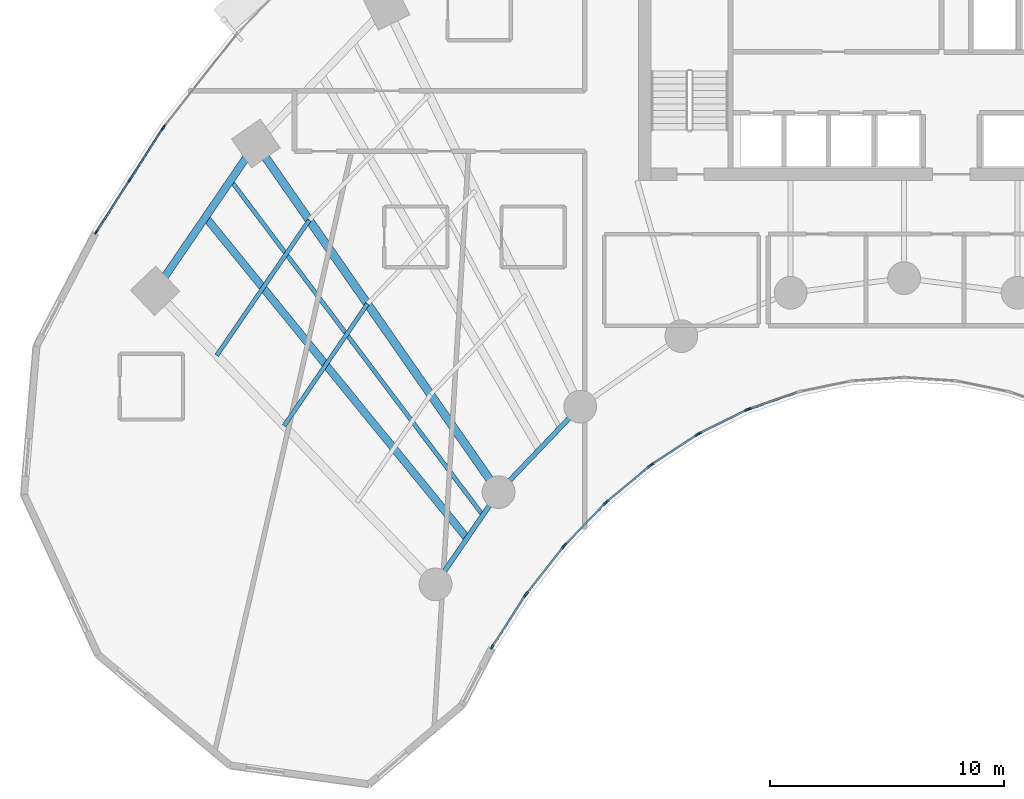
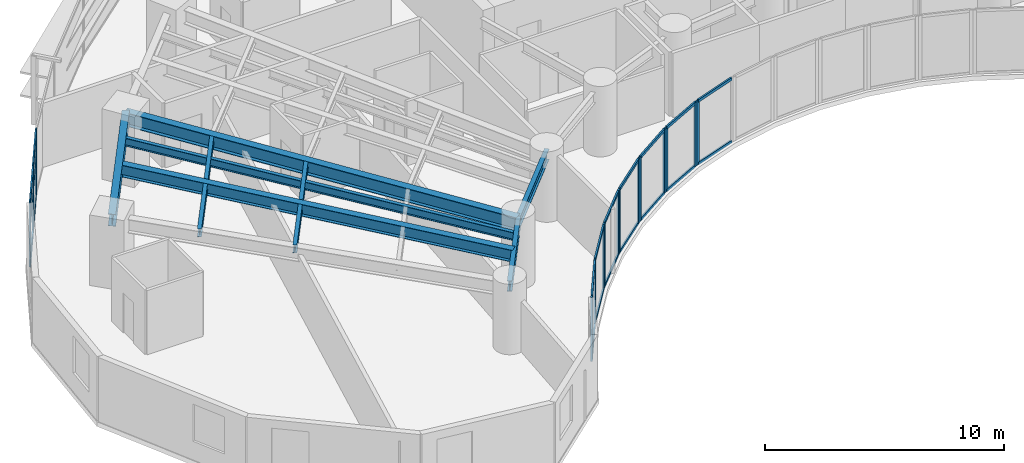
# One storey, part 2 of 17: 37 members, 8 beams, 9 elements without a shape of their own.
"""IFC4 building model written with IfcOpenShell, lengths in metres."""

from ifc_helpers import new_model, si_unit, direction, frame, origin, origin_2d, place, context, subcontext, project, spatial, rectangle, i_section, extrude, source, transform, mapped, material, layer, layer_set, material_profile, profile_set, type_object, type_shapes, element, aggregate, save


model = new_model("IFC4")

# Units and contexts
model_context = context("Model", 3, precision=1e-05, world=origin(), true_north=direction((0.0, 1.0)))
body_context = subcontext(model_context, "Body", "Model", "MODEL_VIEW")
ifc_project = project(units=[si_unit("LENGTHUNIT", "METRE"), si_unit("AREAUNIT", "SQUARE_METRE"), si_unit("VOLUMEUNIT", "CUBIC_METRE"), si_unit("PLANEANGLEUNIT", "RADIAN"), si_unit("MASSUNIT", "GRAM", prefix="KILO")], contexts=[model_context])

# Site, building, storey
site_placement = place(None, origin())
site = spatial("IfcSite", under=ifc_project, at=site_placement, CompositionType="ELEMENT")
building_placement = place(site_placement, origin())
building = spatial("IfcBuilding", under=site, at=building_placement, Name="Breltana Convention Tower", CompositionType="ELEMENT")
storey_placement = place(building_placement, frame((0.0, 0.0, 82.199951171875)))
storey = spatial("IfcBuildingStorey", under=building, at=storey_placement, Name="L19", CompositionType="ELEMENT", Elevation=82.199951171875)

# Beams
ifc_material_1 = material(Name="Steel ASTM A992 Grade 50", Category="steel")
ifc_material_profile_1 = material_profile(ifc_material_1, i_section(OverallWidth=0.323974609375, OverallDepth=0.611083984375, WebThickness=0.0126953125, FlangeThickness=0.01904296875, at=origin_2d()), Name="W24X104")
ifc_profile_set_1 = profile_set([ifc_material_profile_1], Name="Steel ASTM A992 Grade 50")
beam_type_1 = type_object("IfcBeamType", Name="BM-SP-W24X104", PredefinedType="SPANDREL", material=ifc_profile_set_1)
shared_shape_1 = source(origin(), body_context, "Body", "SweptSolid", [
    extrude(i_section(OverallWidth=0.323974609375, OverallDepth=0.611083984375, WebThickness=0.0126953125, FlangeThickness=0.01904296875, at=origin_2d()), origin(), (0.0, 0.0, 1.0), 7.625),
])
type_shapes(beam_type_1, [shared_shape_1])
beam_1_placement = place(storey_placement, frame((16.0068359375, 55.494384765625, 2.974609375), z_axis=(0.564452031902, 0.825465870694, 0.0), x_axis=(-0.825465870694, 0.564452031902, 0.0)))
element("IfcBeam", 1, at=beam_1_placement, inside=storey, type_object=beam_type_1, Name="L19 Outer Spandrel Beam 01", PredefinedType="SPANDREL", context=body_context, shape_type="MappedRepresentation", body=[
    mapped(shared_shape_1, transform((0.0, 0.0, 0.0), scale=1.0)),
])
ifc_material_profile_2 = material_profile(ifc_material_1, i_section(OverallWidth=0.35498046875, OverallDepth=0.696044921875, WebThickness=0.015380859375, FlangeThickness=0.02490234375, at=origin_2d()), Name="W27X146")
ifc_profile_set_2 = profile_set([ifc_material_profile_2], Name="Steel ASTM A992 Grade 50")
beam_type_2 = type_object("IfcBeamType", Name="BM-RG-W27X146", PredefinedType="USERDEFINED", material=ifc_profile_set_2)
shared_shape_2 = source(origin(), body_context, "Body", "SweptSolid", [
    extrude(i_section(OverallWidth=0.35498046875, OverallDepth=0.696044921875, WebThickness=0.015380859375, FlangeThickness=0.02490234375, at=origin_2d()), origin(), (0.0, 0.0, 1.0), 18.1484375),
])
beam_2_placement = place(storey_placement, frame((30.67724609375, 46.892333984375, 2.93212890625), z_axis=(-0.571207556098, 0.820805657788, 0.0), x_axis=(-0.820805657788, -0.571207556098, 0.0)))
element("IfcBeam", 2, at=beam_2_placement, inside=storey, type_object=beam_type_2, Name="L19 Radial Floor Girder R02", ObjectType="GIRDER", PredefinedType="USERDEFINED", context=body_context, shape_type="MappedRepresentation", body=[
    mapped(shared_shape_2, transform((0.0, 0.0, 0.0), scale=1.0)),
])
ifc_material_profile_3 = material_profile(ifc_material_1, i_section(OverallWidth=0.2099609375, OverallDepth=0.537109375, WebThickness=0.010986328125, FlangeThickness=0.017333984375, at=origin_2d()), Name="W21X68")
ifc_profile_set_3 = profile_set([ifc_material_profile_3], Name="Steel ASTM A992 Grade 50")
beam_type_3 = type_object("IfcBeamType", Name="BM-BM-W21X68", PredefinedType="BEAM", material=ifc_profile_set_3)
shared_shape_3 = source(origin(), body_context, "Body", "SweptSolid", [
    extrude(i_section(OverallWidth=0.2099609375, OverallDepth=0.537109375, WebThickness=0.010986328125, FlangeThickness=0.017333984375, at=origin_2d()), origin(), (0.0, 0.0, 1.0), 4.770263671875),
])
beam_3_placement = place(storey_placement, frame((27.984619140625, 42.95458984375, 3.011474609375), z_axis=(0.564452719055, 0.82546540082, 0.0), x_axis=(-0.82546540082, 0.564452719055, 0.0)))
element("IfcBeam", 3, at=beam_3_placement, inside=storey, type_object=beam_type_3, Name="L19 Inner Ring Beam 01", PredefinedType="BEAM", context=body_context, shape_type="MappedRepresentation", body=[
    mapped(shared_shape_3, transform((0.0, 0.0, 0.0), scale=1.0)),
])
shared_shape_4 = source(origin(), body_context, "Body", "SweptSolid", [
    extrude(i_section(OverallWidth=0.2099609375, OverallDepth=0.537109375, WebThickness=0.010986328125, FlangeThickness=0.017333984375, at=origin_2d()), origin(), (0.0, 0.0, 1.0), 5.05126953125),
])
beam_4_placement = place(storey_placement, frame((30.67724609375, 46.892333984375, 3.011474609375), z_axis=(0.690729753845, 0.7231129975, 0.0), x_axis=(-0.7231129975, 0.690729753845, 0.0)))
element("IfcBeam", 4, at=beam_4_placement, inside=storey, type_object=beam_type_3, Name="L19 Inner Ring Beam 02", PredefinedType="BEAM", context=body_context, shape_type="MappedRepresentation", body=[
    mapped(shared_shape_4, transform((0.0, 0.0, 0.0), scale=1.0)),
])
ifc_material_profile_4 = material_profile(ifc_material_1, i_section(OverallWidth=0.179931640625, OverallDepth=0.4130859375, WebThickness=0.009765625, FlangeThickness=0.01611328125, at=origin_2d()), Name="W16X50")
ifc_profile_set_4 = profile_set([ifc_material_profile_4], Name="Steel ASTM A992 Grade 50")
beam_type_4 = type_object("IfcBeamType", Name="BM-JSG-08", PredefinedType="JOIST", material=ifc_profile_set_4)
shared_shape_5 = source(origin(), body_context, "Body", "SweptSolid", [
    extrude(i_section(OverallWidth=0.179931640625, OverallDepth=0.4130859375, WebThickness=0.009765625, FlangeThickness=0.01611328125, at=origin_2d()), origin(), (0.0, 0.0, 1.0), 6.311767578125),
])
beam_5_placement = place(storey_placement, frame((21.5166015625, 49.72607421875, 3.073486328125), z_axis=(0.564453712577, 0.825464721449, 0.0), x_axis=(-0.825464721449, 0.564453712577, 0.0)))
element("IfcBeam", 5, at=beam_5_placement, inside=storey, type_object=beam_type_4, Name="L19 Composite Floor Joist 01.2", PredefinedType="JOIST", context=body_context, shape_type="MappedRepresentation", body=[
    mapped(shared_shape_5, transform((0.0, 0.0, 0.0), scale=1.0)),
])
shared_shape_6 = source(origin(), body_context, "Body", "SweptSolid", [
    extrude(i_section(OverallWidth=0.179931640625, OverallDepth=0.4130859375, WebThickness=0.009765625, FlangeThickness=0.01611328125, at=origin_2d()), origin(), (0.0, 0.0, 1.0), 6.997314453125),
])
beam_6_placement = place(storey_placement, frame((18.641845703125, 52.735595703125, 3.073486328125), z_axis=(0.564468756361, 0.825454434292, 0.0), x_axis=(-0.825454434292, 0.564468756361, 0.0)))
element("IfcBeam", 6, at=beam_6_placement, inside=storey, type_object=beam_type_4, Name="L19 Composite Floor Joist 01.3", PredefinedType="JOIST", context=body_context, shape_type="MappedRepresentation", body=[
    mapped(shared_shape_6, transform((0.0, 0.0, 0.0), scale=1.0)),
])
ifc_material_profile_5 = material_profile(ifc_material_1, i_section(OverallWidth=0.323974609375, OverallDepth=0.611083984375, WebThickness=0.0126953125, FlangeThickness=0.01904296875, at=origin_2d()), Name="W24X104")
ifc_profile_set_5 = profile_set([ifc_material_profile_5], Name="Steel ASTM A992 Grade 50")
beam_type_5 = type_object("IfcBeamType", Name="BM-JSG-01", PredefinedType="JOIST", material=ifc_profile_set_5)
shared_shape_7 = source(origin(), body_context, "Body", "SweptSolid", [
    extrude(i_section(OverallWidth=0.323974609375, OverallDepth=0.611083984375, WebThickness=0.0126953125, FlangeThickness=0.01904296875, at=origin_2d()), origin(), (0.0, 0.0, 1.0), 17.691650390625),
])
type_shapes(beam_type_5, [shared_shape_7])
beam_7_placement = place(storey_placement, frame((29.330810546875, 44.923583984375, 2.974609375), z_axis=(-0.631476958478, 0.775394642044, 0.0), x_axis=(-0.775394642044, -0.631476958478, 0.0)))
element("IfcBeam", 7, at=beam_7_placement, inside=storey, type_object=beam_type_5, Name="L19 Mid-Bay Radial Trimmer 01", PredefinedType="JOIST", context=body_context, shape_type="MappedRepresentation", body=[
    mapped(shared_shape_7, transform((0.0, 0.0, 0.0), scale=1.0)),
])
shared_shape_8 = source(origin(), body_context, "Body", "SweptSolid", [
    extrude(i_section(OverallWidth=0.179931640625, OverallDepth=0.4130859375, WebThickness=0.009765625, FlangeThickness=0.01611328125, at=origin_2d()), origin(), (0.0, 0.0, 1.0), 17.9072265625),
])
beam_8_placement = place(storey_placement, frame((30.00390625, 45.907958984375, 3.073486328125), z_axis=(-0.601382105028, 0.798961553363, 0.0), x_axis=(-0.798961553363, -0.601382105028, 0.0)))
element("IfcBeam", 8, at=beam_8_placement, inside=storey, type_object=beam_type_4, Name="L19 Quarter-Bay Radial Trimmer 01", PredefinedType="JOIST", context=body_context, shape_type="MappedRepresentation", body=[
    mapped(shared_shape_8, transform((0.0, 0.0, 0.0), scale=1.0)),
])

# Curtain wall, members
ifc_material_2 = material(Name="Aluminium Anodised Bronze Frame", Category="aluminium")
ifc_layer_1 = layer(ifc_material_2, 0.18994140625, Name="Aluminium Anodised Bronze Frame")
ifc_layer_set_1 = layer_set([ifc_layer_1], Name="Aluminium Anodised Bronze Frame")
curtain_wall_type_1 = type_object("IfcCurtainWallType", Name="CW-SYS-1", PredefinedType="NOTDEFINED", material=ifc_layer_set_1)
curtain_wall_1_placement = place(storey_placement, origin())
curtain_wall_1 = element("IfcCurtainWall", 9, at=curtain_wall_1_placement, inside=storey, type_object=curtain_wall_type_1, Name="L19 inner south-court glazing 16", PredefinedType="NOTDEFINED")
ifc_material_3 = material(Name="Aluminium Anodised Bronze", Category="aluminium")
ifc_material_profile_6 = material_profile(ifc_material_3, rectangle(XDim=0.080078125, YDim=0.139892578125, at=origin_2d()), Name="CWT-80X140")
ifc_profile_set_6 = profile_set([ifc_material_profile_6], Name="Aluminium Anodised Bronze")
member_type_1 = type_object("IfcMemberType", Name="CWT-140", PredefinedType="USERDEFINED", material=ifc_profile_set_6)
shared_shape_9 = source(origin(), body_context, "Body", "SweptSolid", [
    extrude(rectangle(XDim=0.080078125, YDim=0.139892578125, at=origin_2d()), origin(), (0.0, 0.0, 1.0), 2.38720703125),
])
type_shapes(member_type_1, [shared_shape_9])
member_1_placement = place(storey_placement, frame((35.2021484375, 46.385009765625, 0.0400390625), z_axis=(-0.694623715393, -0.719373264734, 0.0), x_axis=(0.719373264734, -0.694623715393, 0.0)))
member_1 = element("IfcMember", 10, at=member_1_placement, type_object=member_type_1, Name="CW-01 transom 1.1", ObjectType="TRANSOM", PredefinedType="USERDEFINED", context=body_context, shape_type="MappedRepresentation", body=[
    mapped(shared_shape_9, transform((0.0, 0.0, 0.0), scale=1.0)),
])
member_2_placement = place(storey_placement, frame((35.2021484375, 46.385009765625, 3.239990234375), z_axis=(-0.694623715393, -0.719373264734, 0.0), x_axis=(0.719373264734, -0.694623715393, 0.0)))
member_2 = element("IfcMember", 11, at=member_2_placement, type_object=member_type_1, Name="CW-01 transom 1.2", ObjectType="TRANSOM", PredefinedType="USERDEFINED", context=body_context, shape_type="MappedRepresentation", body=[
    mapped(shared_shape_9, transform((0.0, 0.0, 0.0), scale=1.0)),
])

curtain_wall_2_placement = place(storey_placement, origin())
curtain_wall_2 = element("IfcCurtainWall", 12, at=curtain_wall_2_placement, inside=storey, type_object=curtain_wall_type_1, Name="L19 inner south-court glazing 15", PredefinedType="NOTDEFINED")
shared_shape_10 = source(origin(), body_context, "Body", "SweptSolid", [
    extrude(rectangle(XDim=0.080078125, YDim=0.139892578125, at=origin_2d()), origin(), (0.0, 0.0, 1.0), 2.312255859375),
])
member_3_placement = place(storey_placement, frame((37.10888671875, 47.988037109375, 0.0400390625), z_axis=(-0.767900974507, -0.640568570374, 0.0), x_axis=(0.640568570374, -0.767900974507, 0.0)))
member_3 = element("IfcMember", 13, at=member_3_placement, type_object=member_type_1, Name="CW-01 transom 1.1", ObjectType="TRANSOM", PredefinedType="USERDEFINED", context=body_context, shape_type="MappedRepresentation", body=[
    mapped(shared_shape_10, transform((0.0, 0.0, 0.0), scale=1.0)),
])
member_4_placement = place(storey_placement, frame((37.10888671875, 47.988037109375, 3.239990234375), z_axis=(-0.767900974507, -0.640568570374, 0.0), x_axis=(0.640568570374, -0.767900974507, 0.0)))
member_4 = element("IfcMember", 14, at=member_4_placement, type_object=member_type_1, Name="CW-01 transom 1.2", ObjectType="TRANSOM", PredefinedType="USERDEFINED", context=body_context, shape_type="MappedRepresentation", body=[
    mapped(shared_shape_10, transform((0.0, 0.0, 0.0), scale=1.0)),
])

curtain_wall_3_placement = place(storey_placement, origin())
curtain_wall_3 = element("IfcCurtainWall", 15, at=curtain_wall_3_placement, inside=storey, type_object=curtain_wall_type_1, Name="L19 inner south-court glazing 14", PredefinedType="NOTDEFINED")
shared_shape_11 = source(origin(), body_context, "Body", "SweptSolid", [
    extrude(rectangle(XDim=0.080078125, YDim=0.139892578125, at=origin_2d()), origin(), (0.0, 0.0, 1.0), 2.2421875),
])
member_5_placement = place(storey_placement, frame((39.128173828125, 49.325927734375, 0.0400390625), z_axis=(-0.835982353773, -0.548756324957, 0.0), x_axis=(0.548756324957, -0.835982353773, 0.0)))
member_5 = element("IfcMember", 16, at=member_5_placement, type_object=member_type_1, Name="CW-01 transom 1.1", ObjectType="TRANSOM", PredefinedType="USERDEFINED", context=body_context, shape_type="MappedRepresentation", body=[
    mapped(shared_shape_11, transform((0.0, 0.0, 0.0), scale=1.0)),
])
member_6_placement = place(storey_placement, frame((39.128173828125, 49.325927734375, 3.239990234375), z_axis=(-0.835982353773, -0.548756324957, 0.0), x_axis=(0.548756324957, -0.835982353773, 0.0)))
member_6 = element("IfcMember", 17, at=member_6_placement, type_object=member_type_1, Name="CW-01 transom 1.2", ObjectType="TRANSOM", PredefinedType="USERDEFINED", context=body_context, shape_type="MappedRepresentation", body=[
    mapped(shared_shape_11, transform((0.0, 0.0, 0.0), scale=1.0)),
])

curtain_wall_4_placement = place(storey_placement, origin())
curtain_wall_4 = element("IfcCurtainWall", 18, at=curtain_wall_4_placement, inside=storey, type_object=curtain_wall_type_1, Name="L19 inner south-court glazing 13", PredefinedType="NOTDEFINED")
shared_shape_12 = source(origin(), body_context, "Body", "SweptSolid", [
    extrude(rectangle(XDim=0.080078125, YDim=0.139892578125, at=origin_2d()), origin(), (0.0, 0.0, 1.0), 2.180908203125),
])
member_7_placement = place(storey_placement, frame((41.239501953125, 50.384765625, 0.0400390625), z_axis=(-0.895922266369, -0.444210865045, 0.0), x_axis=(0.444210865045, -0.895922266369, 0.0)))
member_7 = element("IfcMember", 19, at=member_7_placement, type_object=member_type_1, Name="CW-01 transom 1.1", ObjectType="TRANSOM", PredefinedType="USERDEFINED", context=body_context, shape_type="MappedRepresentation", body=[
    mapped(shared_shape_12, transform((0.0, 0.0, 0.0), scale=1.0)),
])
member_8_placement = place(storey_placement, frame((41.239501953125, 50.384765625, 3.239990234375), z_axis=(-0.895922266369, -0.444210865045, 0.0), x_axis=(0.444210865045, -0.895922266369, 0.0)))
member_8 = element("IfcMember", 20, at=member_8_placement, type_object=member_type_1, Name="CW-01 transom 1.2", ObjectType="TRANSOM", PredefinedType="USERDEFINED", context=body_context, shape_type="MappedRepresentation", body=[
    mapped(shared_shape_12, transform((0.0, 0.0, 0.0), scale=1.0)),
])

curtain_wall_5_placement = place(storey_placement, origin())
curtain_wall_5 = element("IfcCurtainWall", 21, at=curtain_wall_5_placement, inside=storey, type_object=curtain_wall_type_1, Name="L19 inner south-court glazing 17", PredefinedType="NOTDEFINED")
shared_shape_13 = source(origin(), body_context, "Body", "SweptSolid", [
    extrude(rectangle(XDim=0.080078125, YDim=0.139892578125, at=origin_2d()), origin(), (0.0, 0.0, 1.0), 2.4638671875),
])
member_9_placement = place(storey_placement, frame((33.427001953125, 44.533447265625, 0.0400390625), z_axis=(-0.618184689608, -0.786032880695, 0.0), x_axis=(0.786032880695, -0.618184689608, 0.0)))
member_9 = element("IfcMember", 22, at=member_9_placement, type_object=member_type_1, Name="CW-01 transom 1.1", ObjectType="TRANSOM", PredefinedType="USERDEFINED", context=body_context, shape_type="MappedRepresentation", body=[
    mapped(shared_shape_13, transform((0.0, 0.0, 0.0), scale=1.0)),
])
member_10_placement = place(storey_placement, frame((33.427001953125, 44.533447265625, 3.239990234375), z_axis=(-0.618184689608, -0.786032880695, 0.0), x_axis=(0.786032880695, -0.618184689608, 0.0)))
member_10 = element("IfcMember", 23, at=member_10_placement, type_object=member_type_1, Name="CW-01 transom 1.2", ObjectType="TRANSOM", PredefinedType="USERDEFINED", context=body_context, shape_type="MappedRepresentation", body=[
    mapped(shared_shape_13, transform((0.0, 0.0, 0.0), scale=1.0)),
])

curtain_wall_6_placement = place(storey_placement, origin())
curtain_wall_6 = element("IfcCurtainWall", 24, at=curtain_wall_6_placement, inside=storey, type_object=curtain_wall_type_1, Name="L19 inner south-court glazing 18", PredefinedType="NOTDEFINED")
shared_shape_14 = source(origin(), body_context, "Body", "SweptSolid", [
    extrude(rectangle(XDim=0.080078125, YDim=0.139892578125, at=origin_2d()), origin(), (0.0, 0.0, 1.0), 2.53955078125),
])
member_11_placement = place(storey_placement, frame((31.801025390625, 42.452392578125, 0.0400390625), z_axis=(-0.540174413174, -0.841553090038, 0.0), x_axis=(0.841553090038, -0.540174413174, 0.0)))
member_11 = element("IfcMember", 25, at=member_11_placement, type_object=member_type_1, Name="CW-01 transom 1.1", ObjectType="TRANSOM", PredefinedType="USERDEFINED", context=body_context, shape_type="MappedRepresentation", body=[
    mapped(shared_shape_14, transform((0.0, 0.0, 0.0), scale=1.0)),
])
member_12_placement = place(storey_placement, frame((31.801025390625, 42.452392578125, 3.239990234375), z_axis=(-0.540174413174, -0.841553090038, 0.0), x_axis=(0.841553090038, -0.540174413174, 0.0)))
member_12 = element("IfcMember", 26, at=member_12_placement, type_object=member_type_1, Name="CW-01 transom 1.2", ObjectType="TRANSOM", PredefinedType="USERDEFINED", context=body_context, shape_type="MappedRepresentation", body=[
    mapped(shared_shape_14, transform((0.0, 0.0, 0.0), scale=1.0)),
])

curtain_wall_7_placement = place(storey_placement, origin())
curtain_wall_7 = element("IfcCurtainWall", 27, at=curtain_wall_7_placement, inside=storey, type_object=curtain_wall_type_1, Name="L19 inner south-court glazing 12", PredefinedType="NOTDEFINED")
shared_shape_15 = source(origin(), body_context, "Body", "SweptSolid", [
    extrude(rectangle(XDim=0.080078125, YDim=0.139892578125, at=origin_2d()), origin(), (0.0, 0.0, 1.0), 2.131103515625),
])
member_13_placement = place(storey_placement, frame((43.421630859375, 51.153076171875, 0.0400390625), z_axis=(-0.944847069856, -0.327511854112, 0.0), x_axis=(0.327511854112, -0.944847069856, 0.0)))
member_13 = element("IfcMember", 28, at=member_13_placement, type_object=member_type_1, Name="CW-01 transom 1.1", ObjectType="TRANSOM", PredefinedType="USERDEFINED", context=body_context, shape_type="MappedRepresentation", body=[
    mapped(shared_shape_15, transform((0.0, 0.0, 0.0), scale=1.0)),
])
member_14_placement = place(storey_placement, frame((43.421630859375, 51.153076171875, 3.239990234375), z_axis=(-0.944847069856, -0.327511854112, 0.0), x_axis=(0.327511854112, -0.944847069856, 0.0)))
member_14 = element("IfcMember", 29, at=member_14_placement, type_object=member_type_1, Name="CW-01 transom 1.2", ObjectType="TRANSOM", PredefinedType="USERDEFINED", context=body_context, shape_type="MappedRepresentation", body=[
    mapped(shared_shape_15, transform((0.0, 0.0, 0.0), scale=1.0)),
])

ifc_layer_2 = layer(ifc_material_2, 0.199951171875, Name="Aluminium Anodised Bronze Frame")
ifc_layer_set_2 = layer_set([ifc_layer_2], Name="Aluminium Anodised Bronze Frame")
curtain_wall_type_2 = type_object("IfcCurtainWallType", Name="CW-SYS-2", PredefinedType="NOTDEFINED", material=ifc_layer_set_2)
curtain_wall_8_placement = place(storey_placement, origin())
curtain_wall_8 = element("IfcCurtainWall", 30, at=curtain_wall_8_placement, inside=storey, type_object=curtain_wall_type_2, Name="L19 outer double-skin inner glazing 1", PredefinedType="NOTDEFINED")
ifc_material_profile_7 = material_profile(ifc_material_3, rectangle(XDim=0.070068359375, YDim=0.1201171875, at=origin_2d()), Name="CWT-70X120")
ifc_profile_set_7 = profile_set([ifc_material_profile_7], Name="Aluminium Anodised Bronze")
member_type_2 = type_object("IfcMemberType", Name="CWT-120", PredefinedType="USERDEFINED", material=ifc_profile_set_7)
shared_shape_16 = source(origin(), body_context, "Body", "SweptSolid", [
    extrude(rectangle(XDim=0.070068359375, YDim=0.1201171875, at=origin_2d()), origin(), (0.0, 0.0, 1.0), 2.56787109375),
])
type_shapes(member_type_2, [shared_shape_16])
member_15_placement = place(storey_placement, frame((13.505859375, 58.0234375, 0.03515625), z_axis=(0.54022409371, 0.841521199124, 0.0), x_axis=(-0.841521199124, 0.54022409371, 0.0)))
member_15 = element("IfcMember", 31, at=member_15_placement, type_object=member_type_2, Name="CW-02 transom 1.1", ObjectType="TRANSOM", PredefinedType="USERDEFINED", context=body_context, shape_type="MappedRepresentation", body=[
    mapped(shared_shape_16, transform((0.0, 0.0, 0.0), scale=1.0)),
])
member_16_placement = place(storey_placement, frame((13.505859375, 58.0234375, 2.132080078125), z_axis=(0.54022409371, 0.841521199124, 0.0), x_axis=(-0.841521199124, 0.54022409371, 0.0)))
member_16 = element("IfcMember", 32, at=member_16_placement, type_object=member_type_2, Name="CW-02 transom 1.2", ObjectType="TRANSOM", PredefinedType="USERDEFINED", context=body_context, shape_type="MappedRepresentation", body=[
    mapped(shared_shape_16, transform((0.0, 0.0, 0.0), scale=1.0)),
])
member_17_placement = place(storey_placement, frame((13.505859375, 58.0234375, 3.2451171875), z_axis=(0.54022409371, 0.841521199124, 0.0), x_axis=(-0.841521199124, 0.54022409371, 0.0)))
member_17 = element("IfcMember", 33, at=member_17_placement, type_object=member_type_2, Name="CW-02 transom 1.3", ObjectType="TRANSOM", PredefinedType="USERDEFINED", context=body_context, shape_type="MappedRepresentation", body=[
    mapped(shared_shape_16, transform((0.0, 0.0, 0.0), scale=1.0)),
])
member_18_placement = place(storey_placement, frame((14.930908203125, 60.2431640625, 0.03515625), z_axis=(0.540113540427, 0.841592159806, 0.0), x_axis=(-0.841592159806, 0.540113540427, 0.0)))
member_18 = element("IfcMember", 34, at=member_18_placement, type_object=member_type_2, Name="CW-02 transom 2.1", ObjectType="TRANSOM", PredefinedType="USERDEFINED", context=body_context, shape_type="MappedRepresentation", body=[
    mapped(shared_shape_16, transform((0.0, 0.0, 0.0), scale=1.0)),
])
member_19_placement = place(storey_placement, frame((14.930908203125, 60.2431640625, 2.132080078125), z_axis=(0.540113540427, 0.841592159806, 0.0), x_axis=(-0.841592159806, 0.540113540427, 0.0)))
member_19 = element("IfcMember", 35, at=member_19_placement, type_object=member_type_2, Name="CW-02 transom 2.2", ObjectType="TRANSOM", PredefinedType="USERDEFINED", context=body_context, shape_type="MappedRepresentation", body=[
    mapped(shared_shape_16, transform((0.0, 0.0, 0.0), scale=1.0)),
])
member_20_placement = place(storey_placement, frame((14.930908203125, 60.2431640625, 3.2451171875), z_axis=(0.540113540427, 0.841592159806, 0.0), x_axis=(-0.841592159806, 0.540113540427, 0.0)))
member_20 = element("IfcMember", 36, at=member_20_placement, type_object=member_type_2, Name="CW-02 transom 2.3", ObjectType="TRANSOM", PredefinedType="USERDEFINED", context=body_context, shape_type="MappedRepresentation", body=[
    mapped(shared_shape_16, transform((0.0, 0.0, 0.0), scale=1.0)),
])

# Member
ifc_material_profile_8 = material_profile(ifc_material_3, rectangle(XDim=0.080078125, YDim=0.199951171875, at=origin_2d()), Name="CWM-80X200")
ifc_profile_set_8 = profile_set([ifc_material_profile_8], Name="Aluminium Anodised Bronze")
member_type_3 = type_object("IfcMemberType", Name="CWM-200", PredefinedType="MULLION", material=ifc_profile_set_8)
shared_shape_17 = source(origin(), body_context, "Body", "SweptSolid", [
    extrude(rectangle(XDim=0.080078125, YDim=0.199951171875, at=origin_2d()), origin(), (0.0, 0.0, 1.0), 3.280029296875),
])
member_21_placement = place(storey_placement, frame((41.3701171875, 50.442138671875, 0.0), z_axis=(0.0, 0.0, 1.0), x_axis=(0.327413341714, -0.944881211406, 0.0)))
member_21 = element("IfcMember", 37, at=member_21_placement, type_object=member_type_3, Name="CW-01 mullion 2", PredefinedType="MULLION", context=body_context, shape_type="MappedRepresentation", body=[
    mapped(shared_shape_17, transform((0.0, 0.0, 0.0), scale=1.0)),
])

aggregate(curtain_wall_7, [member_21, member_13, member_14])

member_22_placement = place(storey_placement, frame((41.275390625, 50.40234375, 0.0), z_axis=(0.0, 0.0, 1.0), x_axis=(0.444117987602, -0.895968310315, 0.0)))
member_22 = element("IfcMember", 38, at=member_22_placement, type_object=member_type_3, Name="CW-01 mullion 1", PredefinedType="MULLION", context=body_context, shape_type="MappedRepresentation", body=[
    mapped(shared_shape_17, transform((0.0, 0.0, 0.0), scale=1.0)),
])

member_23_placement = place(storey_placement, frame((39.249755859375, 49.3984375, 0.0), z_axis=(0.0, 0.0, 1.0), x_axis=(0.444117987602, -0.895968310315, 0.0)))
member_23 = element("IfcMember", 39, at=member_23_placement, type_object=member_type_3, Name="CW-01 mullion 2", PredefinedType="MULLION", context=body_context, shape_type="MappedRepresentation", body=[
    mapped(shared_shape_17, transform((0.0, 0.0, 0.0), scale=1.0)),
])

aggregate(curtain_wall_4, [member_22, member_23, member_7, member_8])

member_24_placement = place(storey_placement, frame((39.16162109375, 49.347900390625, 0.0), z_axis=(0.0, 0.0, 1.0), x_axis=(0.548778278441, -0.835967942634, 0.0)))
member_24 = element("IfcMember", 40, at=member_24_placement, type_object=member_type_3, Name="CW-01 mullion 1", PredefinedType="MULLION", context=body_context, shape_type="MappedRepresentation", body=[
    mapped(shared_shape_17, transform((0.0, 0.0, 0.0), scale=1.0)),
])

member_25_placement = place(storey_placement, frame((37.220458984375, 48.073486328125, 0.0), z_axis=(0.0, 0.0, 1.0), x_axis=(0.548778278441, -0.835967942634, 0.0)))
member_25 = element("IfcMember", 41, at=member_25_placement, type_object=member_type_3, Name="CW-01 mullion 2", PredefinedType="MULLION", context=body_context, shape_type="MappedRepresentation", body=[
    mapped(shared_shape_17, transform((0.0, 0.0, 0.0), scale=1.0)),
])

aggregate(curtain_wall_3, [member_24, member_25, member_5, member_6])

member_26_placement = place(storey_placement, frame((37.1396484375, 48.013671875, 0.0), z_axis=(0.0, 0.0, 1.0), x_axis=(0.640522524458, -0.767939382804, 0.0)))
member_26 = element("IfcMember", 42, at=member_26_placement, type_object=member_type_3, Name="CW-01 mullion 1", PredefinedType="MULLION", context=body_context, shape_type="MappedRepresentation", body=[
    mapped(shared_shape_17, transform((0.0, 0.0, 0.0), scale=1.0)),
])

member_27_placement = place(storey_placement, frame((35.302734375, 46.481201171875, 0.0), z_axis=(0.0, 0.0, 1.0), x_axis=(0.640522524458, -0.767939382804, 0.0)))
member_27 = element("IfcMember", 43, at=member_27_placement, type_object=member_type_3, Name="CW-01 mullion 2", PredefinedType="MULLION", context=body_context, shape_type="MappedRepresentation", body=[
    mapped(shared_shape_17, transform((0.0, 0.0, 0.0), scale=1.0)),
])

aggregate(curtain_wall_2, [member_26, member_27, member_3, member_4])

member_28_placement = place(storey_placement, frame((35.22998046875, 46.413818359375, 0.0), z_axis=(0.0, 0.0, 1.0), x_axis=(0.719384548773, -0.694612029111, 0.0)))
member_28 = element("IfcMember", 44, at=member_28_placement, type_object=member_type_3, Name="CW-01 mullion 1", PredefinedType="MULLION", context=body_context, shape_type="MappedRepresentation", body=[
    mapped(shared_shape_17, transform((0.0, 0.0, 0.0), scale=1.0)),
])

member_29_placement = place(storey_placement, frame((33.51611328125, 44.638916015625, 0.0), z_axis=(0.0, 0.0, 1.0), x_axis=(0.719384548773, -0.694612029111, 0.0)))
member_29 = element("IfcMember", 45, at=member_29_placement, type_object=member_type_3, Name="CW-01 mullion 2", PredefinedType="MULLION", context=body_context, shape_type="MappedRepresentation", body=[
    mapped(shared_shape_17, transform((0.0, 0.0, 0.0), scale=1.0)),
])

aggregate(curtain_wall_1, [member_28, member_29, member_1, member_2])

member_30_placement = place(storey_placement, frame((33.45166015625, 44.56494140625, 0.0), z_axis=(0.0, 0.0, 1.0), x_axis=(0.786057762734, -0.61815305034, 0.0)))
member_30 = element("IfcMember", 46, at=member_30_placement, type_object=member_type_3, Name="CW-01 mullion 1", PredefinedType="MULLION", context=body_context, shape_type="MappedRepresentation", body=[
    mapped(shared_shape_17, transform((0.0, 0.0, 0.0), scale=1.0)),
])

member_31_placement = place(storey_placement, frame((31.87890625, 42.565185546875, 0.0), z_axis=(0.0, 0.0, 1.0), x_axis=(0.786057762734, -0.61815305034, 0.0)))
member_31 = element("IfcMember", 47, at=member_31_placement, type_object=member_type_3, Name="CW-01 mullion 2", PredefinedType="MULLION", context=body_context, shape_type="MappedRepresentation", body=[
    mapped(shared_shape_17, transform((0.0, 0.0, 0.0), scale=1.0)),
])

aggregate(curtain_wall_5, [member_30, member_31, member_9, member_10])

member_32_placement = place(storey_placement, frame((31.82275390625, 42.48583984375, 0.0), z_axis=(0.0, 0.0, 1.0), x_axis=(0.841556194767, -0.540169576197, 0.0)))
member_32 = element("IfcMember", 48, at=member_32_placement, type_object=member_type_3, Name="CW-01 mullion 1", PredefinedType="MULLION", context=body_context, shape_type="MappedRepresentation", body=[
    mapped(shared_shape_17, transform((0.0, 0.0, 0.0), scale=1.0)),
])

member_33_placement = place(storey_placement, frame((30.40771484375, 40.281494140625, 0.0), z_axis=(0.0, 0.0, 1.0), x_axis=(0.841556194767, -0.540169576197, 0.0)))
member_33 = element("IfcMember", 49, at=member_33_placement, type_object=member_type_3, Name="CW-01 mullion 2", PredefinedType="MULLION", context=body_context, shape_type="MappedRepresentation", body=[
    mapped(shared_shape_17, transform((0.0, 0.0, 0.0), scale=1.0)),
])

aggregate(curtain_wall_6, [member_32, member_33, member_11, member_12])

ifc_material_profile_9 = material_profile(ifc_material_3, rectangle(XDim=0.070068359375, YDim=0.175048828125, at=origin_2d()), Name="CWM-70X175")
ifc_profile_set_9 = profile_set([ifc_material_profile_9], Name="Aluminium Anodised Bronze")
member_type_4 = type_object("IfcMemberType", Name="CWM-175", PredefinedType="MULLION", material=ifc_profile_set_9)
shared_shape_18 = source(origin(), body_context, "Body", "SweptSolid", [
    extrude(rectangle(XDim=0.070068359375, YDim=0.175048828125, at=origin_2d()), origin(), (0.0, 0.0, 1.0), 3.280029296875),
])
member_34_placement = place(storey_placement, frame((13.487060546875, 57.993896484375, 0.0), z_axis=(0.0, 0.0, 1.0), x_axis=(-0.841549039154, 0.540180724109, 0.0)))
member_34 = element("IfcMember", 50, at=member_34_placement, type_object=member_type_4, Name="CW-02 mullion 1", PredefinedType="MULLION", context=body_context, shape_type="MappedRepresentation", body=[
    mapped(shared_shape_18, transform((0.0, 0.0, 0.0), scale=1.0)),
])

member_35_placement = place(storey_placement, frame((14.911865234375, 60.2138671875, 0.0), z_axis=(0.0, 0.0, 1.0), x_axis=(-0.841549039154, 0.540180724109, 0.0)))
member_35 = element("IfcMember", 51, at=member_35_placement, type_object=member_type_4, Name="CW-02 mullion 2", PredefinedType="MULLION", context=body_context, shape_type="MappedRepresentation", body=[
    mapped(shared_shape_18, transform((0.0, 0.0, 0.0), scale=1.0)),
])

member_36_placement = place(storey_placement, frame((16.3369140625, 62.43359375, 0.0), z_axis=(0.0, 0.0, 1.0), x_axis=(-0.841549039154, 0.540180724109, 0.0)))
member_36 = element("IfcMember", 52, at=member_36_placement, type_object=member_type_4, Name="CW-02 mullion 3", PredefinedType="MULLION", context=body_context, shape_type="MappedRepresentation", body=[
    mapped(shared_shape_18, transform((0.0, 0.0, 0.0), scale=1.0)),
])

aggregate(curtain_wall_8, [member_34, member_35, member_36, member_15, member_16, member_17, member_18, member_19, member_20])

# Curtain wall, member
curtain_wall_9_placement = place(storey_placement, origin())
curtain_wall_9 = element("IfcCurtainWall", 53, at=curtain_wall_9_placement, inside=storey, type_object=curtain_wall_type_2, Name="L19 outer double-skin inner glazing 2", PredefinedType="NOTDEFINED")
member_37_placement = place(storey_placement, frame((16.37744140625, 62.49072265625, 0.0), z_axis=(0.0, 0.0, 1.0), x_axis=(-0.786057080698, 0.618153917633, 0.0)))
member_37 = element("IfcMember", 54, at=member_37_placement, type_object=member_type_4, Name="CW-02 mullion 1", PredefinedType="MULLION", context=body_context, shape_type="MappedRepresentation", body=[
    mapped(shared_shape_18, transform((0.0, 0.0, 0.0), scale=1.0)),
])
aggregate(curtain_wall_9, [member_37])

save(model, "model.ifc")
